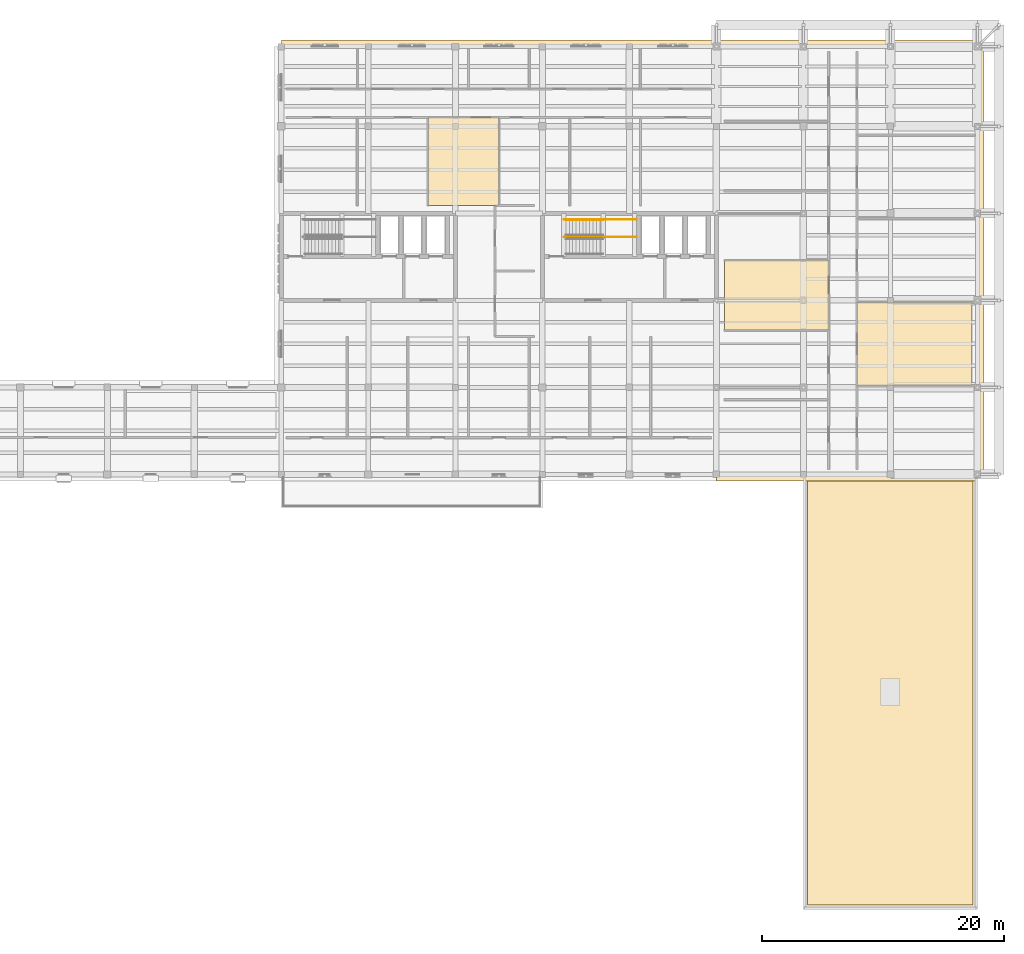
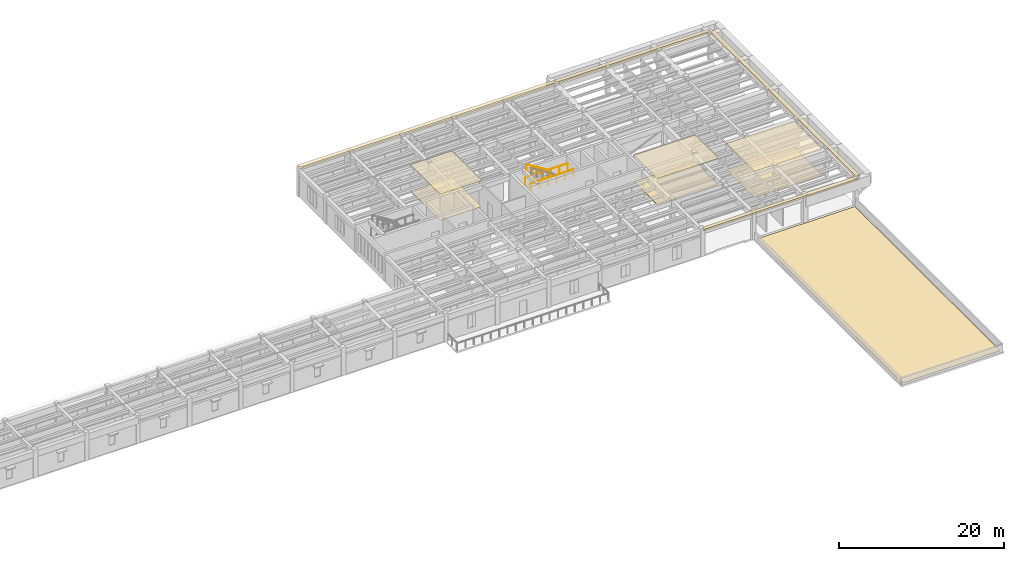
# One storey, part 22 of 22: 11 coverings, 3 railings.
"""IFC4 building model written with IfcOpenShell, lengths in metres."""

from ifc_helpers import new_model, si_unit, direction, frame, origin, origin_2d, place, context, subcontext, project, spatial, polyline, rectangle, circle, outline, extrude, material, layer, layer_set, type_object, element, save


model = new_model("IFC4")

# Units and contexts
model_context = context("Model", 3, precision=1e-05, world=origin(), true_north=direction((0.0, 1.0)))
body_context = subcontext(model_context, "Body", "Model", "MODEL_VIEW")
ifc_project = project(units=[si_unit("LENGTHUNIT", "METRE"), si_unit("AREAUNIT", "SQUARE_METRE"), si_unit("VOLUMEUNIT", "CUBIC_METRE"), si_unit("PLANEANGLEUNIT", "RADIAN"), si_unit("MASSUNIT", "GRAM", prefix="KILO")], contexts=[model_context])

# Site, building, storey
site_placement = place(None, origin())
site = spatial("IfcSite", under=ifc_project, at=site_placement, CompositionType="ELEMENT")
building_placement = place(site_placement, origin())
building = spatial("IfcBuilding", under=site, at=building_placement, Name="Mithqara Police Headquarters", CompositionType="ELEMENT")
storey_placement = place(building_placement, frame((0.0, 0.0, 22.199951171875)))
storey = spatial("IfcBuildingStorey", under=building, at=storey_placement, Name="L05", CompositionType="ELEMENT", Elevation=22.199951171875)

# Coverings
ifc_material_1 = material(Name="Acoustic mineral-fibre ceiling tile", Category="gypsum")
ifc_layer_1 = layer(ifc_material_1, 0.02490234375, Name="Acoustic mineral-fibre ceiling tile")
ifc_layer_set_1 = layer_set([ifc_layer_1], Name="Acoustic mineral-fibre ceiling tile")
covering_type_1 = type_object("IfcCoveringType", Name="ACOUSTIC CEILING TILE", PredefinedType="CEILING", material=ifc_layer_set_1)
covering_1_placement = place(storey_placement, frame((0.0, 0.0, 3.89501953125)))
element("IfcCovering", 1, at=covering_1_placement, inside=storey, type_object=covering_type_1, Name="Executive Briefing Room Acoustic Ceiling", PredefinedType="CEILING", context=body_context, shape_type="SweptSolid", body=[
    extrude(outline(polyline([(120.760009765625, 100.8701171875), (126.580078125, 100.8701171875), (126.580078125, 108.1201171875), (120.760009765625, 108.1201171875), (120.760009765625, 100.8701171875)])), origin(), (0.0, 0.0, 1.0), 0.025146484375),
])
covering_2_placement = place(storey_placement, frame((0.0, 0.0, 3.89501953125)))
element("IfcCovering", 2, at=covering_2_placement, inside=storey, type_object=covering_type_1, Name="Male Staff WC Acoustic Ceiling", PredefinedType="CEILING", context=body_context, shape_type="SweptSolid", body=[
    extrude(outline(polyline([(145.27001953125, 90.56005859375), (153.875, 90.56005859375), (153.875, 96.280029296875), (145.27001953125, 96.280029296875), (145.27001953125, 90.56005859375)])), origin(), (0.0, 0.0, 1.0), 0.025146484375),
])
covering_3_placement = place(storey_placement, frame((0.0, 0.0, 3.89501953125)))
element("IfcCovering", 3, at=covering_3_placement, inside=storey, type_object=covering_type_1, Name="Male Staff WC Acoustic Ceiling", PredefinedType="CEILING", context=body_context, shape_type="SweptSolid", body=[
    extrude(outline(polyline([(156.2548828125, 85.951904296875), (165.760009765625, 85.951904296875), (165.760009765625, 92.823974609375), (156.2548828125, 92.823974609375), (156.2548828125, 85.951904296875)])), origin(), (0.0, 0.0, 1.0), 0.025146484375),
])
ifc_material_2 = material(Name="Limestone ashlar masonry, 45 MPa", Category="masonry")
ifc_layer_2 = layer(ifc_material_2, 0.320068359375, Name="Limestone ashlar masonry, 45 MPa")
ifc_layer_set_2 = layer_set([ifc_layer_2], Name="Limestone ashlar masonry, 45 MPa")
covering_type_2 = type_object("IfcCoveringType", Name="CORNICE LIMESTONE", PredefinedType="CLADDING", material=ifc_layer_set_2)
covering_4_placement = place(storey_placement, frame((155.39990234375, 78.320068359375, 3.919921875), z_axis=(0.0, 0.0, 1.0), x_axis=(1.0, 0.0, 0.0)))
element("IfcCovering", 4, at=covering_4_placement, inside=storey, type_object=covering_type_2, Name="L05 Projecting Ottoman Limestone Eaves Cornice 5", PredefinedType="CLADDING", context=body_context, shape_type="SweptSolid", body=[
    extrude(rectangle(XDim=21.60009765625, YDim=0.56005859375, at=origin_2d()), origin(), (0.0, 0.0, 1.0), 0.280029296875),
])
covering_5_placement = place(storey_placement, frame((166.47998046875, 96.300048828125, 3.919921875), z_axis=(0.0, 0.0, 1.0), x_axis=(0.0, 1.0, 0.0)))
element("IfcCovering", 5, at=covering_5_placement, inside=storey, type_object=covering_type_2, Name="L05 Projecting Ottoman Limestone Eaves Cornice 6", PredefinedType="CLADDING", context=body_context, shape_type="SweptSolid", body=[
    extrude(rectangle(XDim=35.39990234375, YDim=0.56005859375, at=origin_2d()), origin(), (0.0, 0.0, 1.0), 0.280029296875),
])
covering_6_placement = place(storey_placement, frame((155.39990234375, 114.280029296875, 3.919921875), z_axis=(0.0, 0.0, 1.0), x_axis=(1.0, 0.0, 0.0)))
element("IfcCovering", 6, at=covering_6_placement, inside=storey, type_object=covering_type_2, Name="L05 Projecting Ottoman Limestone Eaves Cornice 7", PredefinedType="CLADDING", context=body_context, shape_type="SweptSolid", body=[
    extrude(rectangle(XDim=21.60009765625, YDim=0.56005859375, at=origin_2d()), origin(), (0.0, 0.0, 1.0), 0.280029296875),
])
covering_7_placement = place(storey_placement, frame((126.60009765625, 114.280029296875, 3.919921875), z_axis=(0.0, 0.0, 1.0), x_axis=(1.0, 0.0, 0.0)))
element("IfcCovering", 7, at=covering_7_placement, inside=storey, type_object=covering_type_2, Name="L05 Projecting Ottoman Limestone Eaves Cornice 8", PredefinedType="CLADDING", context=body_context, shape_type="SweptSolid", body=[
    extrude(rectangle(XDim=36.0, YDim=0.56005859375, at=origin_2d()), origin(), (0.0, 0.0, 1.0), 0.280029296875),
])

# Railings
ifc_material_3 = material(Name="Steel S355JR", Category="steel")
railing_type_1 = type_object("IfcRailingType", Name="HANDRAIL 920", PredefinedType="HANDRAIL", material=ifc_material_3)
railing_placement = place(storey_placement, frame((135.22998046875, 99.64990234375, 2.275146484375)))
element("IfcRailing", 8, at=railing_placement, inside=storey, type_object=railing_type_1, Name="L05 ST-02 stair handrail 2", PredefinedType="HANDRAIL", context=body_context, shape_type="SweptSolid", body=[
    extrude(circle(Radius=0.02392578125, at=origin_2d()), frame((0.0, 0.0, 0.8759765625), z_axis=(-0.848028513186, 0.0, 0.529950602248), x_axis=(0.0, -1.0, 0.0)), (0.0, 0.0, 1.0), 3.632080078125),
    extrude(circle(Radius=0.02099609375, at=origin_2d()), origin(), (0.0, 0.0, 1.0), 0.851806640625),
    extrude(circle(Radius=0.02099609375, at=origin_2d()), frame((-0.77001953125, 0.0, 0.481201171875)), (0.0, 0.0, 1.0), 0.851806640625),
    extrude(circle(Radius=0.02099609375, at=origin_2d()), frame((-1.5400390625, 0.0, 0.96240234375)), (0.0, 0.0, 1.0), 0.851806640625),
    extrude(circle(Radius=0.02099609375, at=origin_2d()), frame((-2.31005859375, 0.0, 1.443603515625)), (0.0, 0.0, 1.0), 0.851806640625),
    extrude(circle(Radius=0.02099609375, at=origin_2d()), frame((-3.080078125, 0.0, 1.9248046875)), (0.0, 0.0, 1.0), 0.851806640625),
])
railing_type_2 = type_object("IfcRailingType", Name="STAIR GUARD 1120", PredefinedType="GUARDRAIL", material=ifc_material_3)
for number, where, name in (
    (9, (132.0, 98.25, 2.10009765625), "L05 ST-02 Half-Landing Guard IN"),
    (10, (132.0, 99.679931640625, 2.10009765625), "L05 ST-02 Half-Landing Guard OUT"),
):
    element("IfcRailing", number, at=place(storey_placement, frame(where)), inside=storey, type_object=railing_type_2, Name=name, PredefinedType="GUARDRAIL", context=body_context, shape_type="SweptSolid", body=[
        extrude(circle(Radius=0.02392578125, at=origin_2d()), frame((0.0, 0.0, 1.09619140625), z_axis=(1.0, 0.0, 0.0), x_axis=(0.0, 1.0, 0.0)), (0.0, 0.0, 1.0), 5.97998046875),
        extrude(circle(Radius=0.02099609375, at=origin_2d()), origin(), (0.0, 0.0, 1.0), 1.072021484375),
        extrude(circle(Radius=0.02099609375, at=origin_2d()), frame((1.196044921875, 0.0, 0.0)), (0.0, 0.0, 1.0), 1.072021484375),
        extrude(circle(Radius=0.02099609375, at=origin_2d()), frame((2.39208984375, 0.0, 0.0)), (0.0, 0.0, 1.0), 1.072021484375),
        extrude(circle(Radius=0.02099609375, at=origin_2d()), frame((3.587890625, 0.0, 0.0)), (0.0, 0.0, 1.0), 1.072021484375),
        extrude(circle(Radius=0.02099609375, at=origin_2d()), frame((4.783935546875, 0.0, 0.0)), (0.0, 0.0, 1.0), 1.072021484375),
        extrude(circle(Radius=0.02099609375, at=origin_2d()), frame((5.97998046875, 0.0, 0.0)), (0.0, 0.0, 1.0), 1.072021484375),
    ])

# Coverings
ifc_material_4 = material(Name="Standing seam zinc-aluminium roofing", Category="aluminium")
ifc_layer_3 = layer(ifc_material_4, 0.0400390625, Name="Standing seam zinc-aluminium roofing")
ifc_layer_set_3 = layer_set([ifc_layer_3], Name="Standing seam zinc-aluminium roofing")
covering_type_3 = type_object("IfcCoveringType", Name="STANDING SEAM ROOFING", PredefinedType="ROOFING", material=ifc_layer_set_3)
covering_8_placement = place(storey_placement, origin())
element("IfcCovering", 11, at=covering_8_placement, inside=storey, type_object=covering_type_3, Name="L05 Insulated Roof Waterproofing ROOF-L04-01", PredefinedType="ROOFING", context=body_context, shape_type="SweptSolid", body=[
    extrude(outline(polyline([(165.85009765625, 42.949951171875), (152.14990234375, 42.949951171875), (152.14990234375, 78.22998046875), (165.85009765625, 78.22998046875), (165.85009765625, 42.949951171875)])), origin(), (0.0, 0.0, 1.0), 0.0400390625),
])
ifc_material_5 = material(Name="Polished limestone terrazzo flooring", Category="masonry")
ifc_layer_4 = layer(ifc_material_5, 0.02001953125, Name="Polished limestone terrazzo flooring")
ifc_layer_set_4 = layer_set([ifc_layer_4], Name="Polished limestone terrazzo flooring")
covering_type_4 = type_object("IfcCoveringType", Name="TERRAZZO FLOOR FINISH", PredefinedType="FLOORING", material=ifc_layer_set_4)
covering_9_placement = place(storey_placement, origin())
element("IfcCovering", 12, at=covering_9_placement, inside=storey, type_object=covering_type_4, Name="Executive Briefing Room Terrazzo Floor Finish", PredefinedType="FLOORING", context=body_context, shape_type="SweptSolid", body=[
    extrude(outline(polyline([(120.760009765625, 100.8701171875), (126.580078125, 100.8701171875), (126.580078125, 108.1201171875), (120.760009765625, 108.1201171875), (120.760009765625, 100.8701171875)])), origin(), (0.0, 0.0, 1.0), 0.02001953125),
])
covering_10_placement = place(storey_placement, origin())
element("IfcCovering", 13, at=covering_10_placement, inside=storey, type_object=covering_type_4, Name="Male Staff WC Terrazzo Floor Finish", PredefinedType="FLOORING", context=body_context, shape_type="SweptSolid", body=[
    extrude(outline(polyline([(145.27001953125, 90.56005859375), (153.875, 90.56005859375), (153.875, 96.280029296875), (145.27001953125, 96.280029296875), (145.27001953125, 90.56005859375)])), origin(), (0.0, 0.0, 1.0), 0.02001953125),
])
covering_11_placement = place(storey_placement, origin())
element("IfcCovering", 14, at=covering_11_placement, inside=storey, type_object=covering_type_4, Name="Male Staff WC Terrazzo Floor Finish", PredefinedType="FLOORING", context=body_context, shape_type="SweptSolid", body=[
    extrude(outline(polyline([(156.2548828125, 85.951904296875), (165.760009765625, 85.951904296875), (165.760009765625, 92.823974609375), (156.2548828125, 92.823974609375), (156.2548828125, 85.951904296875)])), origin(), (0.0, 0.0, 1.0), 0.02001953125),
])

save(model, "model.ifc")
